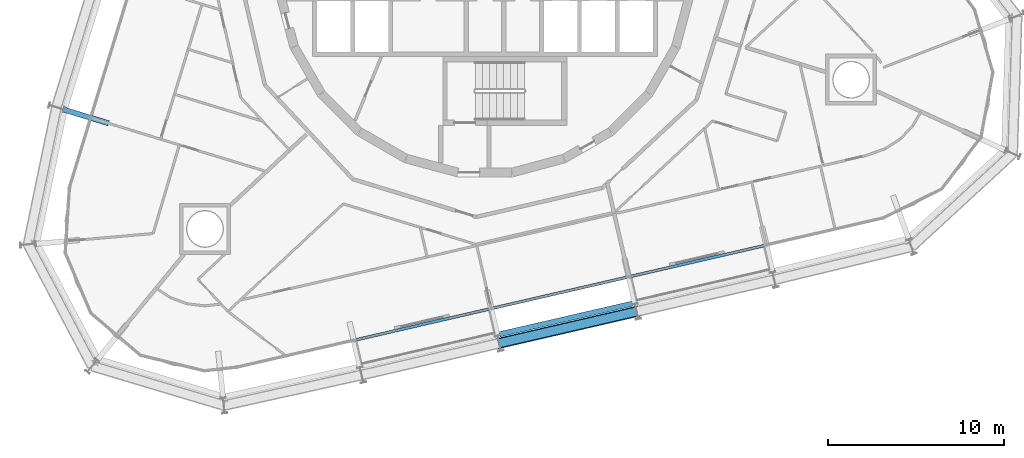
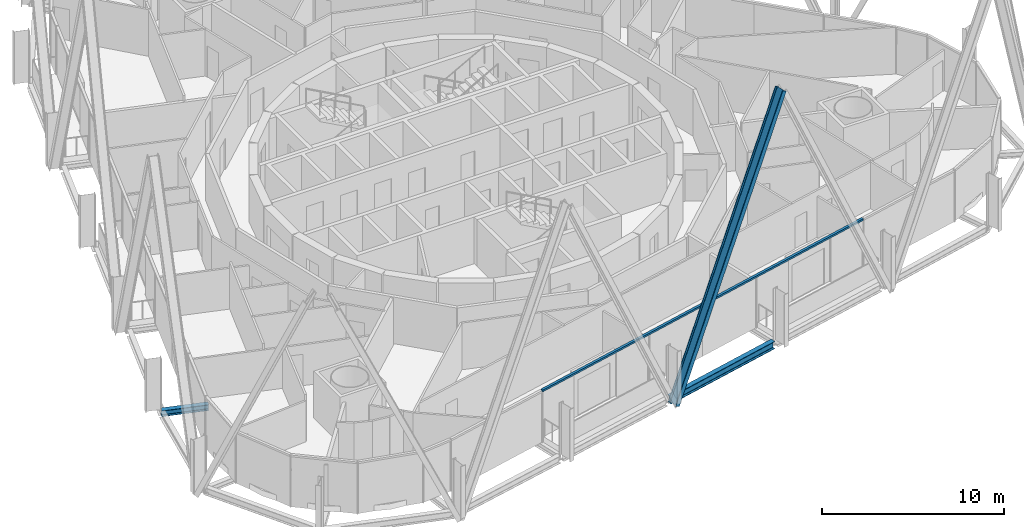
# One storey, part 4 of 18: 2 beams, 2 members, 1 element without a shape of its own.
"""IFC4 building model written with IfcOpenShell, lengths in metres."""

from ifc_helpers import new_model, si_unit, direction, frame, origin, origin_2d, place, context, subcontext, project, spatial, rectangle, i_section, extrude, material, layer, layer_set, material_profile, profile_set, type_object, element, aggregate, save


model = new_model("IFC4")

# Units and contexts
model_context = context("Model", 3, precision=1e-05, world=origin(), true_north=direction((0.0, 1.0)))
body_context = subcontext(model_context, "Body", "Model", "MODEL_VIEW")
ifc_project = project(units=[si_unit("LENGTHUNIT", "METRE"), si_unit("AREAUNIT", "SQUARE_METRE"), si_unit("VOLUMEUNIT", "CUBIC_METRE"), si_unit("PLANEANGLEUNIT", "RADIAN"), si_unit("MASSUNIT", "GRAM", prefix="KILO")], contexts=[model_context])

# Site, building, storey
site_placement = place(None, origin())
site = spatial("IfcSite", under=ifc_project, at=site_placement, CompositionType="ELEMENT")
building_placement = place(site_placement, origin())
building = spatial("IfcBuilding", under=site, at=building_placement, Name="Spindle Arch Residences", CompositionType="ELEMENT")
storey_placement = place(building_placement, frame((0.0, 0.0, 127.39990234375)))
storey = spatial("IfcBuildingStorey", under=building, at=storey_placement, Name="L31", CompositionType="ELEMENT", Elevation=127.39990234375)

# Curtain wall, member
ifc_material_1 = material(Name="Aluminium bronze unitised frame with tinted glass", Category="aluminium")
ifc_layer = layer(ifc_material_1, 0.159912109375)
ifc_layer_set = layer_set([ifc_layer], Name="CW-C typical residential unitised wall")
curtain_wall_type = type_object("IfcCurtainWallType", Name="CW-C typical residential unitised wall", PredefinedType="NOTDEFINED", material=ifc_layer_set)
curtain_wall_placement = place(storey_placement, origin())
curtain_wall = element("IfcCurtainWall", 1, at=curtain_wall_placement, inside=storey, type_object=curtain_wall_type, Name="CW-C L31 run 6", PredefinedType="NOTDEFINED")
ifc_material_2 = material(Name="Aluminium bronze anodised transom", Category="aluminium")
ifc_material_profile_1 = material_profile(ifc_material_2, rectangle(XDim=0.159912109375, YDim=0.1201171875, at=origin_2d()), Name="TR 120x160")
ifc_profile_set_1 = profile_set([ifc_material_profile_1], Name="Aluminium bronze anodised transom")
member_type_1 = type_object("IfcMemberType", Name="Bronze transom 120x160", PredefinedType="USERDEFINED", material=ifc_profile_set_1)
member_1_placement = place(storey_placement, frame((-7.438232421875, -21.187255859375, 3.06005859375), z_axis=(0.974369784879, 0.224952266747, 0.0), x_axis=(-0.224952266747, 0.974369784879, 0.0)))
member_1 = element("IfcMember", 2, at=member_1_placement, type_object=member_type_1, Name="CW-C transom 00", ObjectType="TRANSOM", PredefinedType="USERDEFINED", context=body_context, shape_type="SweptSolid", body=[
    extrude(rectangle(XDim=0.159912109375, YDim=0.1201171875, at=origin_2d()), origin(), (0.0, 0.0, 1.0), 24.02734375),
])
aggregate(curtain_wall, [member_1])

# Member
ifc_material_3 = material(Name="Steel S460ML, intumescent coating R 240", Category="steel")
ifc_material_profile_2 = material_profile(ifc_material_3, i_section(OverallWidth=0.304931640625, OverallDepth=0.6201171875, WebThickness=0.02099609375, FlangeThickness=0.0400390625, FilletRadius=0.027099609375, at=origin_2d()), Name="HEM 600")
ifc_profile_set_2 = profile_set([ifc_material_profile_2], Name="Steel S460ML, intumescent coating R 240")
member_type_2 = type_object("IfcMemberType", Name="Diagrid diagonal HEM 600", PredefinedType="BRACE", material=ifc_profile_set_2)
member_2_placement = place(storey_placement, frame((0.810302734375, -21.35595703125, -0.6298828125), z_axis=(0.410715523751, 0.094821915014, 0.906819476513), x_axis=(-0.883577391362, -0.203991559771, 0.421519201243)))
element("IfcMember", 3, at=member_2_placement, inside=storey, type_object=member_type_2, Name="Diagrid diagonal 3.2.22", PredefinedType="BRACE", context=body_context, shape_type="SweptSolid", body=[
    extrude(i_section(OverallWidth=0.304931640625, OverallDepth=0.6201171875, WebThickness=0.02099609375, FlangeThickness=0.0400390625, FilletRadius=0.027099609375, at=origin_2d()), origin(), (0.0, 0.0, 1.0), 19.0478515625),
])

# Beams
ifc_material_4 = material(Name="Steel S460ML, intumescent coating R 120", Category="steel")
ifc_material_profile_3 = material_profile(ifc_material_4, i_section(OverallWidth=0.300048828125, OverallDepth=0.5, WebThickness=0.014404296875, FlangeThickness=0.028076171875, FilletRadius=0.027099609375, at=origin_2d()), Name="HEB 500")
ifc_profile_set_3 = profile_set([ifc_material_profile_3], Name="Steel S460ML, intumescent coating R 120")
beam_type_1 = type_object("IfcBeamType", Name="Exoskeleton edge beam HEB 500", PredefinedType="BEAM", material=ifc_profile_set_3)
beam_1_placement = place(storey_placement, frame((0.82666015625, -20.849365234375, -0.6298828125), z_axis=(0.974366827477, 0.224965076206, 0.0), x_axis=(-0.224965076206, 0.974366827477, 0.0)))
element("IfcBeam", 4, at=beam_1_placement, inside=storey, type_object=beam_type_1, Name="Exoskeleton edge beam 22", PredefinedType="BEAM", context=body_context, shape_type="SweptSolid", body=[
    extrude(i_section(OverallWidth=0.300048828125, OverallDepth=0.5, WebThickness=0.014404296875, FlangeThickness=0.028076171875, FilletRadius=0.027099609375, at=origin_2d()), origin(), (0.0, 0.0, 1.0), 7.769287109375),
])
ifc_material_5 = material(Name="Steel S460ML, intumescent coating R 120", Category="steel")
ifc_material_profile_4 = material_profile(ifc_material_5, i_section(OverallWidth=0.300048828125, OverallDepth=0.389892578125, WebThickness=0.010986328125, FlangeThickness=0.01904296875, FilletRadius=0.027099609375, at=origin_2d()), Name="HEA 400")
ifc_profile_set_4 = profile_set([ifc_material_profile_4], Name="Steel S460ML, intumescent coating R 120")
beam_type_2 = type_object("IfcBeamType", Name="Floor outrigger HEA 400", PredefinedType="BEAM", material=ifc_profile_set_4)
beam_2_placement = place(storey_placement, frame((-23.947265625, -8.0712890625, -0.574951171875), z_axis=(0.956291475666, -0.292415139091, 0.0), x_axis=(0.292415139091, 0.956291475666, 0.0)))
element("IfcBeam", 5, at=beam_2_placement, inside=storey, type_object=beam_type_2, Name="Floor outrigger 17", PredefinedType="BEAM", context=body_context, shape_type="SweptSolid", body=[
    extrude(i_section(OverallWidth=0.300048828125, OverallDepth=0.389892578125, WebThickness=0.010986328125, FlangeThickness=0.01904296875, FilletRadius=0.027099609375, at=origin_2d()), origin(), (0.0, 0.0, 1.0), 2.64990234375),
])

save(model, "model.ifc")
